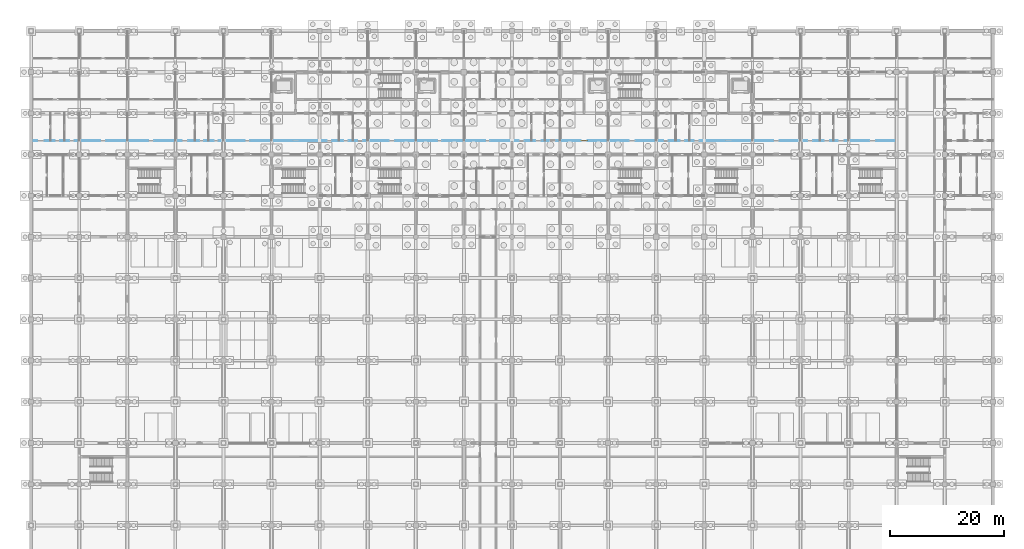
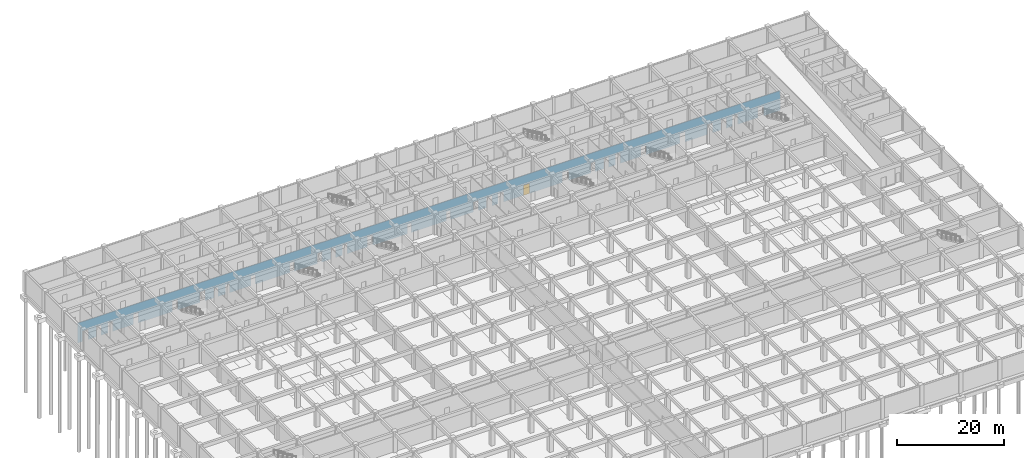
# One storey, part 60 of 85: 1 door, 30 openings, plus 1 element that does not belong to this part.
"""IFC4 building model written with IfcOpenShell, lengths in metres."""

from ifc_helpers import new_model, si_unit, direction, frame, frame_2d, origin, place, context, subcontext, project, spatial, rectangle, extrude, material, layer, layer_set, type_object, element, fill, save


model = new_model("IFC4")

# Units and contexts
model_context = context("Model", 3, precision=1e-05, world=origin(), true_north=direction((0.0, 1.0)))
body_context = subcontext(model_context, "Body", "Model", "MODEL_VIEW")
ifc_project = project(units=[si_unit("LENGTHUNIT", "METRE"), si_unit("AREAUNIT", "SQUARE_METRE"), si_unit("VOLUMEUNIT", "CUBIC_METRE"), si_unit("PLANEANGLEUNIT", "RADIAN"), si_unit("MASSUNIT", "GRAM", prefix="KILO")], contexts=[model_context])

# Site, building, storey
site_placement = place(None, origin())
site = spatial("IfcSite", under=ifc_project, at=site_placement, CompositionType="ELEMENT")
building_placement = place(site_placement, origin())
building = spatial("IfcBuilding", under=site, at=building_placement, Name="Chengyuan Square Courthouse", CompositionType="ELEMENT")
storey_placement = place(building_placement, frame((0.0, 0.0, -10.199951171875)))
storey = spatial("IfcBuildingStorey", under=building, at=storey_placement, Name="B02", CompositionType="ELEMENT", Elevation=-10.199951171875)

# Wall, openings, door
ifc_material_1 = material(Name="Gypsum Plasterboard Acoustic Stud Partition")
ifc_layer = layer(ifc_material_1, 0.10009765625)
ifc_layer_set = layer_set([ifc_layer], Name="Gypsum Plasterboard Acoustic Stud Partition")
wall_type = type_object("IfcWallType", Name="WL-PT6", PredefinedType="STANDARD", material=ifc_layer_set)
wall_placement = place(storey_placement, frame((0.0400390625, 96.0, 0.0), z_axis=(0.0, 0.0, 1.0), x_axis=(1.0, 0.0, 0.0)))
wall = element("IfcWall", 1, at=wall_placement, inside=storey, type_object=wall_type, Name="Interior Wall WL-B02-I062", PredefinedType="STANDARD", context=body_context, shape_type="SweptSolid", body=[
    extrude(rectangle(XDim=151.159912109375, YDim=0.10009765625, at=frame_2d((75.580078125, 0.0))), origin(), (0.0, 0.0, 1.0), 4.47998046875),
])
opening_1_placement = place(wall_placement, frame((1.0400390625, 0.0, 0.0)))
element("IfcOpeningElement", 2, at=opening_1_placement, cuts=wall, Name="Opening DR-148", PredefinedType="OPENING", context=body_context, shape_type="SweptSolid", body=[
    extrude(rectangle(XDim=1.280029296875, YDim=2.35009765625, at=frame_2d((0.64013671875, 1.175048828125))), frame((0.0, 0.06201171875, 0.0), z_axis=(0.0, -1.0, 0.0), x_axis=(1.0, 0.0, 0.0)), (0.0, 0.0, 1.0), 0.1240234375),
])
opening_2_placement = place(wall_placement, frame((4.090087890625, 0.0, 0.0)))
element("IfcOpeningElement", 3, at=opening_2_placement, cuts=wall, Name="Opening DR-149", PredefinedType="OPENING", context=body_context, shape_type="SweptSolid", body=[
    extrude(rectangle(XDim=0.93994140625, YDim=2.300048828125, at=frame_2d((0.469970703125, 1.14990234375))), frame((0.0, 0.06201171875, 0.0), z_axis=(0.0, -1.0, 0.0), x_axis=(1.0, 0.0, 0.0)), (0.0, 0.0, 1.0), 0.1240234375),
])
opening_3_placement = place(wall_placement, frame((6.570068359375, 0.0, 0.0)))
element("IfcOpeningElement", 4, at=opening_3_placement, cuts=wall, Name="Opening DR-150", PredefinedType="OPENING", context=body_context, shape_type="SweptSolid", body=[
    extrude(rectangle(XDim=0.97998046875, YDim=2.35009765625, at=frame_2d((0.489990234375, 1.175048828125))), frame((0.0, 0.06201171875, 0.0), z_axis=(0.0, -1.0, 0.0), x_axis=(1.0, 0.0, 0.0)), (0.0, 0.0, 1.0), 0.1240234375),
])
opening_4_placement = place(wall_placement, frame((12.050048828125, 0.0, 0.0)))
element("IfcOpeningElement", 5, at=opening_4_placement, cuts=wall, Name="Opening DR-151", PredefinedType="OPENING", context=body_context, shape_type="SweptSolid", body=[
    extrude(rectangle(XDim=1.02001953125, YDim=2.39990234375, at=frame_2d((0.510009765625, 1.199951171875))), frame((0.0, 0.06201171875, 0.0), z_axis=(0.0, -1.0, 0.0), x_axis=(1.0, 0.0, 0.0)), (0.0, 0.0, 1.0), 0.1240234375),
])
opening_5_placement = place(wall_placement, frame((20.429931640625, 0.0, 0.0)))
element("IfcOpeningElement", 6, at=opening_5_placement, cuts=wall, Name="Opening DR-152", PredefinedType="OPENING", context=body_context, shape_type="SweptSolid", body=[
    extrude(rectangle(XDim=1.06005859375, YDim=2.39990234375, at=frame_2d((0.530029296875, 1.199951171875))), frame((0.0, 0.06201171875, 0.0), z_axis=(0.0, -1.0, 0.0), x_axis=(1.0, 0.0, 0.0)), (0.0, 0.0, 1.0), 0.1240234375),
])
opening_6_placement = place(wall_placement, frame((26.2900390625, 0.0, 0.0)))
element("IfcOpeningElement", 7, at=opening_6_placement, cuts=wall, Name="Opening DR-153", PredefinedType="OPENING", context=body_context, shape_type="SweptSolid", body=[
    extrude(rectangle(XDim=1.139892578125, YDim=2.39990234375, at=frame_2d((0.56982421875, 1.199951171875))), frame((0.0, 0.06201171875, 0.0), z_axis=(0.0, -1.0, 0.0), x_axis=(1.0, 0.0, 0.0)), (0.0, 0.0, 1.0), 0.1240234375),
])
opening_7_placement = place(wall_placement, frame((29.31005859375, 0.0, 0.0)))
element("IfcOpeningElement", 8, at=opening_7_placement, cuts=wall, Name="Opening DR-154", PredefinedType="OPENING", context=body_context, shape_type="SweptSolid", body=[
    extrude(rectangle(XDim=0.89990234375, YDim=2.14990234375, at=frame_2d((0.449951171875, 1.074951171875))), frame((0.0, 0.06201171875, 0.0), z_axis=(0.0, -1.0, 0.0), x_axis=(1.0, 0.0, 0.0)), (0.0, 0.0, 1.0), 0.1240234375),
])
opening_8_placement = place(wall_placement, frame((31.830078125, 0.0, 0.0)))
element("IfcOpeningElement", 9, at=opening_8_placement, cuts=wall, Name="Opening DR-155", PredefinedType="OPENING", context=body_context, shape_type="SweptSolid", body=[
    extrude(rectangle(XDim=0.860107421875, YDim=2.10009765625, at=frame_2d((0.43017578125, 1.050048828125))), frame((0.0, 0.06201171875, 0.0), z_axis=(0.0, -1.0, 0.0), x_axis=(1.0, 0.0, 0.0)), (0.0, 0.0, 1.0), 0.1240234375),
])
opening_9_placement = place(wall_placement, frame((37.300048828125, 0.0, 0.0)))
element("IfcOpeningElement", 10, at=opening_9_placement, cuts=wall, Name="Opening DR-156", PredefinedType="OPENING", context=body_context, shape_type="SweptSolid", body=[
    extrude(rectangle(XDim=0.919921875, YDim=2.14990234375, at=frame_2d((0.4599609375, 1.074951171875))), frame((0.0, 0.06201171875, 0.0), z_axis=(0.0, -1.0, 0.0), x_axis=(1.0, 0.0, 0.0)), (0.0, 0.0, 1.0), 0.1240234375),
])
opening_10_placement = place(wall_placement, frame((45.679931640625, 0.0, 0.0)))
element("IfcOpeningElement", 11, at=opening_10_placement, cuts=wall, Name="Opening DR-157", PredefinedType="OPENING", context=body_context, shape_type="SweptSolid", body=[
    extrude(rectangle(XDim=0.9599609375, YDim=2.199951171875, at=frame_2d((0.47998046875, 1.10009765625))), frame((0.0, 0.06201171875, 0.0), z_axis=(0.0, -1.0, 0.0), x_axis=(1.0, 0.0, 0.0)), (0.0, 0.0, 1.0), 0.1240234375),
])
opening_11_placement = place(wall_placement, frame((51.570068359375, 0.0, 0.0)))
element("IfcOpeningElement", 12, at=opening_11_placement, cuts=wall, Name="Opening DR-167", PredefinedType="OPENING", context=body_context, shape_type="SweptSolid", body=[
    extrude(rectangle(XDim=0.97998046875, YDim=2.35009765625, at=frame_2d((0.489990234375, 1.175048828125))), frame((0.0, 0.06201171875, 0.0), z_axis=(0.0, -1.0, 0.0), x_axis=(1.0, 0.0, 0.0)), (0.0, 0.0, 1.0), 0.1240234375),
])
opening_12_placement = place(wall_placement, frame((54.449951171875, 0.0, 0.0)))
element("IfcOpeningElement", 13, at=opening_12_placement, cuts=wall, Name="Opening DR-168", PredefinedType="OPENING", context=body_context, shape_type="SweptSolid", body=[
    extrude(rectangle(XDim=1.02001953125, YDim=2.39990234375, at=frame_2d((0.510009765625, 1.199951171875))), frame((0.0, 0.06201171875, 0.0), z_axis=(0.0, -1.0, 0.0), x_axis=(1.0, 0.0, 0.0)), (0.0, 0.0, 1.0), 0.1240234375),
])
opening_13_placement = place(wall_placement, frame((56.929931640625, 0.0, 0.0)))
element("IfcOpeningElement", 14, at=opening_13_placement, cuts=wall, Name="Opening DR-169", PredefinedType="OPENING", context=body_context, shape_type="SweptSolid", body=[
    extrude(rectangle(XDim=1.06005859375, YDim=2.39990234375, at=frame_2d((0.530029296875, 1.199951171875))), frame((0.0, 0.06201171875, 0.0), z_axis=(0.0, -1.0, 0.0), x_axis=(1.0, 0.0, 0.0)), (0.0, 0.0, 1.0), 0.1240234375),
])
opening_14_placement = place(wall_placement, frame((62.389892578125, 0.0, 0.0)))
element("IfcOpeningElement", 15, at=opening_14_placement, cuts=wall, Name="Opening DR-170", PredefinedType="OPENING", context=body_context, shape_type="SweptSolid", body=[
    extrude(rectangle(XDim=1.139892578125, YDim=2.39990234375, at=frame_2d((0.56982421875, 1.199951171875))), frame((0.0, 0.06201171875, 0.0), z_axis=(0.0, -1.0, 0.0), x_axis=(1.0, 0.0, 0.0)), (0.0, 0.0, 1.0), 0.1240234375),
])
opening_15_placement = place(wall_placement, frame((70.909912109375, 0.0, 0.0)))
element("IfcOpeningElement", 16, at=opening_15_placement, cuts=wall, Name="Opening DR-171", PredefinedType="OPENING", context=body_context, shape_type="SweptSolid", body=[
    extrude(rectangle(XDim=0.89990234375, YDim=2.14990234375, at=frame_2d((0.449951171875, 1.074951171875))), frame((0.0, 0.06201171875, 0.0), z_axis=(0.0, -1.0, 0.0), x_axis=(1.0, 0.0, 0.0)), (0.0, 0.0, 1.0), 0.1240234375),
])
opening_16_placement = place(wall_placement, frame((79.330078125, 0.0, 0.0)))
element("IfcOpeningElement", 17, at=opening_16_placement, cuts=wall, Name="Opening DR-172", PredefinedType="OPENING", context=body_context, shape_type="SweptSolid", body=[
    extrude(rectangle(XDim=0.860107421875, YDim=2.10009765625, at=frame_2d((0.43017578125, 1.050048828125))), frame((0.0, 0.06201171875, 0.0), z_axis=(0.0, -1.0, 0.0), x_axis=(1.0, 0.0, 0.0)), (0.0, 0.0, 1.0), 0.1240234375),
])
opening_17_placement = place(wall_placement, frame((85.10009765625, 0.0, 0.0)))
element("IfcOpeningElement", 18, at=opening_17_placement, cuts=wall, Name="Opening DR-178", PredefinedType="OPENING", context=body_context, shape_type="SweptSolid", body=[
    extrude(rectangle(XDim=1.1201171875, YDim=2.25, at=frame_2d((0.56005859375, 1.125))), frame((0.0, 0.06201171875, 0.0), z_axis=(0.0, -1.0, 0.0), x_axis=(1.0, 0.0, 0.0)), (0.0, 0.0, 1.0), 0.1240234375),
])
opening_18_placement = place(wall_placement, frame((87.97998046875, 0.0, 0.0)))
element("IfcOpeningElement", 19, at=opening_18_placement, cuts=wall, Name="Opening DR-179", PredefinedType="OPENING", context=body_context, shape_type="SweptSolid", body=[
    extrude(rectangle(XDim=1.159912109375, YDim=2.300048828125, at=frame_2d((0.580078125, 1.14990234375))), frame((0.0, 0.06201171875, 0.0), z_axis=(0.0, -1.0, 0.0), x_axis=(1.0, 0.0, 0.0)), (0.0, 0.0, 1.0), 0.1240234375),
])
opening_19_placement = place(wall_placement, frame((90.4599609375, 0.0, 0.0)))
element("IfcOpeningElement", 20, at=opening_19_placement, cuts=wall, Name="Opening DR-180", PredefinedType="OPENING", context=body_context, shape_type="SweptSolid", body=[
    extrude(rectangle(XDim=1.199951171875, YDim=2.35009765625, at=frame_2d((0.60009765625, 1.175048828125))), frame((0.0, 0.06201171875, 0.0), z_axis=(0.0, -1.0, 0.0), x_axis=(1.0, 0.0, 0.0)), (0.0, 0.0, 1.0), 0.1240234375),
])
opening_20_placement = place(wall_placement, frame((95.93994140625, 0.0, 0.0)))
opening_20 = element("IfcOpeningElement", 21, at=opening_20_placement, cuts=wall, Name="Opening DR-181", PredefinedType="OPENING", context=body_context, shape_type="SweptSolid", body=[
    extrude(rectangle(XDim=1.239990234375, YDim=2.300048828125, at=frame_2d((0.6201171875, 1.14990234375))), frame((0.0, 0.06201171875, 0.0), z_axis=(0.0, -1.0, 0.0), x_axis=(1.0, 0.0, 0.0)), (0.0, 0.0, 1.0), 0.1240234375),
])
opening_21_placement = place(wall_placement, frame((104.320068359375, 0.0, 0.0)))
element("IfcOpeningElement", 22, at=opening_21_placement, cuts=wall, Name="Opening DR-182", PredefinedType="OPENING", context=body_context, shape_type="SweptSolid", body=[
    extrude(rectangle(XDim=1.280029296875, YDim=2.35009765625, at=frame_2d((0.64013671875, 1.175048828125))), frame((0.0, 0.06201171875, 0.0), z_axis=(0.0, -1.0, 0.0), x_axis=(1.0, 0.0, 0.0)), (0.0, 0.0, 1.0), 0.1240234375),
])
opening_22_placement = place(wall_placement, frame((110.389892578125, 0.0, 0.0)))
element("IfcOpeningElement", 23, at=opening_22_placement, cuts=wall, Name="Opening DR-183", PredefinedType="OPENING", context=body_context, shape_type="SweptSolid", body=[
    extrude(rectangle(XDim=0.93994140625, YDim=2.300048828125, at=frame_2d((0.469970703125, 1.14990234375))), frame((0.0, 0.06201171875, 0.0), z_axis=(0.0, -1.0, 0.0), x_axis=(1.0, 0.0, 0.0)), (0.0, 0.0, 1.0), 0.1240234375),
])
opening_23_placement = place(wall_placement, frame((113.27001953125, 0.0, 0.0)))
element("IfcOpeningElement", 24, at=opening_23_placement, cuts=wall, Name="Opening DR-184", PredefinedType="OPENING", context=body_context, shape_type="SweptSolid", body=[
    extrude(rectangle(XDim=0.97998046875, YDim=2.35009765625, at=frame_2d((0.489990234375, 1.175048828125))), frame((0.0, 0.06201171875, 0.0), z_axis=(0.0, -1.0, 0.0), x_axis=(1.0, 0.0, 0.0)), (0.0, 0.0, 1.0), 0.1240234375),
])
opening_24_placement = place(wall_placement, frame((115.75, 0.0, 0.0)))
element("IfcOpeningElement", 25, at=opening_24_placement, cuts=wall, Name="Opening DR-185", PredefinedType="OPENING", context=body_context, shape_type="SweptSolid", body=[
    extrude(rectangle(XDim=1.02001953125, YDim=2.39990234375, at=frame_2d((0.510009765625, 1.199951171875))), frame((0.0, 0.06201171875, 0.0), z_axis=(0.0, -1.0, 0.0), x_axis=(1.0, 0.0, 0.0)), (0.0, 0.0, 1.0), 0.1240234375),
])
opening_25_placement = place(wall_placement, frame((121.239990234375, 0.0, 0.0)))
element("IfcOpeningElement", 26, at=opening_25_placement, cuts=wall, Name="Opening DR-193", PredefinedType="OPENING", context=body_context, shape_type="SweptSolid", body=[
    extrude(rectangle(XDim=1.0400390625, YDim=2.199951171875, at=frame_2d((0.52001953125, 1.10009765625))), frame((0.0, 0.06201171875, 0.0), z_axis=(0.0, -1.0, 0.0), x_axis=(1.0, 0.0, 0.0)), (0.0, 0.0, 1.0), 0.1240234375),
])
opening_26_placement = place(wall_placement, frame((129.6201171875, 0.0, 0.0)))
element("IfcOpeningElement", 27, at=opening_26_placement, cuts=wall, Name="Opening DR-194", PredefinedType="OPENING", context=body_context, shape_type="SweptSolid", body=[
    extrude(rectangle(XDim=1.080078125, YDim=2.25, at=frame_2d((0.5400390625, 1.125))), frame((0.0, 0.06201171875, 0.0), z_axis=(0.0, -1.0, 0.0), x_axis=(1.0, 0.0, 0.0)), (0.0, 0.0, 1.0), 0.1240234375),
])
opening_27_placement = place(wall_placement, frame((135.5, 0.0, 0.0)))
element("IfcOpeningElement", 28, at=opening_27_placement, cuts=wall, Name="Opening DR-195", PredefinedType="OPENING", context=body_context, shape_type="SweptSolid", body=[
    extrude(rectangle(XDim=1.1201171875, YDim=2.25, at=frame_2d((0.56005859375, 1.125))), frame((0.0, 0.06201171875, 0.0), z_axis=(0.0, -1.0, 0.0), x_axis=(1.0, 0.0, 0.0)), (0.0, 0.0, 1.0), 0.1240234375),
])
opening_28_placement = place(wall_placement, frame((138.3798828125, 0.0, 0.0)))
element("IfcOpeningElement", 29, at=opening_28_placement, cuts=wall, Name="Opening DR-196", PredefinedType="OPENING", context=body_context, shape_type="SweptSolid", body=[
    extrude(rectangle(XDim=1.159912109375, YDim=2.300048828125, at=frame_2d((0.580078125, 1.14990234375))), frame((0.0, 0.06201171875, 0.0), z_axis=(0.0, -1.0, 0.0), x_axis=(1.0, 0.0, 0.0)), (0.0, 0.0, 1.0), 0.1240234375),
])
opening_29_placement = place(wall_placement, frame((140.860107421875, 0.0, 0.0)))
element("IfcOpeningElement", 30, at=opening_29_placement, cuts=wall, Name="Opening DR-197", PredefinedType="OPENING", context=body_context, shape_type="SweptSolid", body=[
    extrude(rectangle(XDim=1.199951171875, YDim=2.35009765625, at=frame_2d((0.60009765625, 1.175048828125))), frame((0.0, 0.06201171875, 0.0), z_axis=(0.0, -1.0, 0.0), x_axis=(1.0, 0.0, 0.0)), (0.0, 0.0, 1.0), 0.1240234375),
])
opening_30_placement = place(wall_placement, frame((146.340087890625, 0.0, 0.0)))
element("IfcOpeningElement", 31, at=opening_30_placement, cuts=wall, Name="Opening DR-198", PredefinedType="OPENING", context=body_context, shape_type="SweptSolid", body=[
    extrude(rectangle(XDim=1.239990234375, YDim=2.300048828125, at=frame_2d((0.6201171875, 1.14990234375))), frame((0.0, 0.06201171875, 0.0), z_axis=(0.0, -1.0, 0.0), x_axis=(1.0, 0.0, 0.0)), (0.0, 0.0, 1.0), 0.1240234375),
])
ifc_material_2 = material(Name="Acoustic Solid-Core Timber Door", Category="wood")
door_type = type_object("IfcDoorType", Name="DT-37", OperationType="NOTDEFINED", PredefinedType="DOOR", material=ifc_material_2)
door_placement = place(opening_20_placement, origin())
door = element("IfcDoor", 32, at=door_placement, inside=storey, type_object=door_type, Name="Interior Door DR-181", OperationType="SINGLE_SWING_RIGHT", OverallHeight=2.300048828125, OverallWidth=1.239990234375, PredefinedType="DOOR", context=body_context, shape_type="SweptSolid", body=[
    extrude(rectangle(XDim=1.239990234375, YDim=2.300048828125, at=frame_2d((0.6201171875, 1.14990234375))), frame((0.0, 0.02490234375, 0.0), z_axis=(0.0, -1.0, 0.0), x_axis=(1.0, 0.0, 0.0)), (0.0, 0.0, 1.0), 0.050048828125),
])
fill(opening_20, door)

save(model, "model.ifc")
